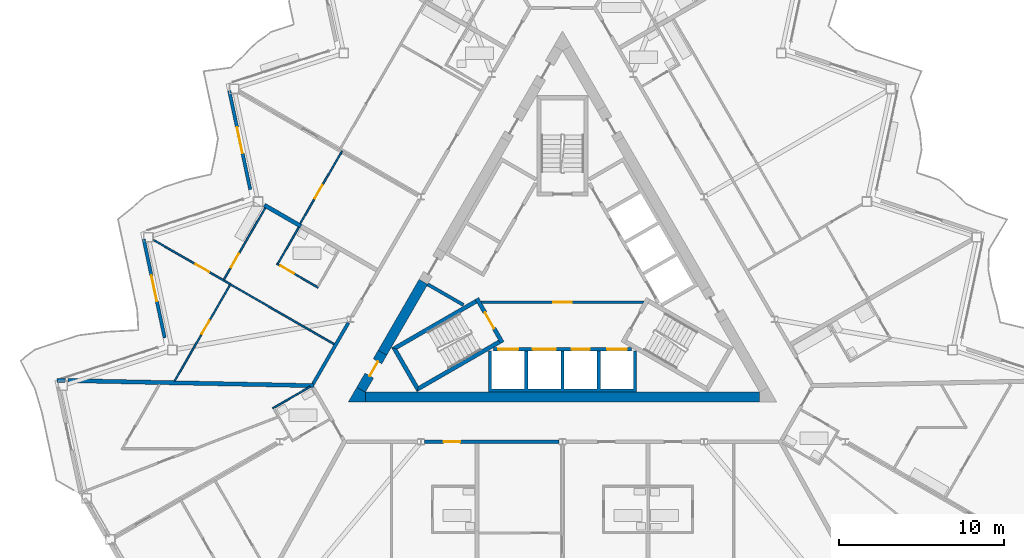
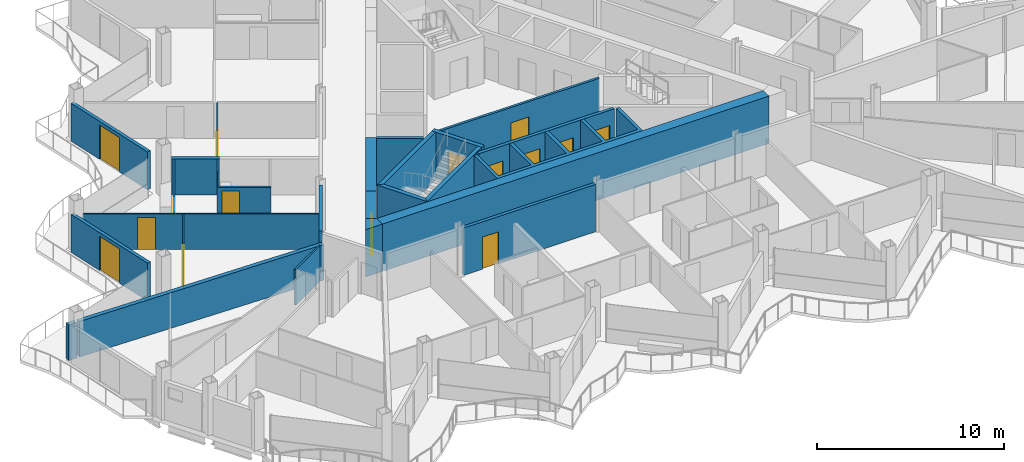
# One storey, part 14 of 27: 26 walls, 15 doors, 15 openings.
"""IFC4 building model written with IfcOpenShell, lengths in metres."""

import ifcopenshell
import ifcopenshell.guid

model = None  # the IFC model being written
_history = None  # IfcOwnerHistory: only IFC2X3 demands one
_inside = {}  # id of a spatial element -> (the spatial element, [elements in it])
_under = {}  # id of a project, library or spatial element -> (it, [spatial elements below it])
_declared = {}  # id of a project -> (the project, [libraries it declares])
_typed = {}  # id of a type object -> (the type object, [elements of that type])
_made_of = {}  # id of a material, layer set ... -> (it, [elements and type objects made of it])


def new_model(schema):
    """Start an empty IFC model of exactly this schema.

    Asked for "IFC4X3", IfcOpenShell would pick the latest addendum, in which some entities
    have other attributes; the version numbers below select the first issue.
    IFC2X3 requires an IfcOwnerHistory on every rooted entity: one is made here for all.
    """
    global model, _history
    if schema == "IFC4X3":
        model = ifcopenshell.file(schema_version=(4, 3, 0, 0))
    else:
        model = ifcopenshell.file(schema=schema)
    _inside.clear()
    _under.clear()
    _declared.clear()
    _typed.clear()
    _made_of.clear()
    _history = None
    if model.schema == "IFC2X3":
        org = make("IfcOrganization", Name="unknown")
        user = make(
            "IfcPersonAndOrganization",
            ThePerson=make("IfcPerson", FamilyName="unknown"),
            TheOrganization=org,
        )
        app = make(
            "IfcApplication",
            ApplicationDeveloper=org,
            Version="unknown",
            ApplicationFullName="unknown",
            ApplicationIdentifier="unknown",
        )
        _history = make(
            "IfcOwnerHistory",
            OwningUser=user,
            OwningApplication=app,
            ChangeAction="ADDED",
            CreationDate=0,
        )
    return model


def make(cls, **values):
    """One entity of the class cls with the attributes given. An attribute that is None is left unset."""
    return model.create_entity(
        cls, **{name: value for name, value in values.items() if value is not None}
    )


def rooted(cls, **values):
    """An entity with a GlobalId (a new one), such as an element, a storey or a relation."""
    return make(cls, GlobalId=ifcopenshell.guid.new(), OwnerHistory=_history, **values)


def si_unit(unit_type, name, prefix=None):
    """IfcSIUnit, for example si_unit("LENGTHUNIT", "METRE", prefix="MILLI")."""
    return make("IfcSIUnit", UnitType=unit_type, Prefix=prefix, Name=name)


def assignment(units):
    """IfcUnitAssignment: the units of a project."""
    return None if units is None else make("IfcUnitAssignment", Units=units)


def point(xyz):
    """IfcCartesianPoint."""
    return None if xyz is None else make("IfcCartesianPoint", Coordinates=xyz)


def direction(xyz):
    """IfcDirection."""
    return None if xyz is None else make("IfcDirection", DirectionRatios=xyz)


def frame(location, z_axis=None, x_axis=None):
    """IfcAxis2Placement3D, a coordinate frame: its origin and axes. An axis left out is left unset."""
    return make(
        "IfcAxis2Placement3D",
        Location=point(location),
        Axis=direction(z_axis),
        RefDirection=direction(x_axis),
    )


def frame_2d(location, x_axis=None):
    """IfcAxis2Placement2D, a coordinate frame in the plane: its origin and x axis."""
    return make(
        "IfcAxis2Placement2D", Location=point(location), RefDirection=direction(x_axis)
    )


def origin():
    """The frame at (0, 0, 0) with its axes left unset."""
    return frame((0.0, 0.0, 0.0))


def place(relative_to, where):
    """IfcLocalPlacement: puts the frame where relative to a parent placement (None: the world)."""
    return make(
        "IfcLocalPlacement", PlacementRelTo=relative_to, RelativePlacement=where
    )


def context(
    kind, dimensions, precision=None, world=None, true_north=None, identifier=None
):
    """IfcGeometricRepresentationContext, for example the 3D "Model" context."""
    return make(
        "IfcGeometricRepresentationContext",
        ContextIdentifier=identifier,
        ContextType=kind,
        CoordinateSpaceDimension=dimensions,
        Precision=precision,
        WorldCoordinateSystem=world,
        TrueNorth=true_north,
    )


def subcontext(parent, identifier, kind, view, scale=None):
    """IfcGeometricRepresentationSubContext, for example "Body" below "Model"."""
    return make(
        "IfcGeometricRepresentationSubContext",
        ContextIdentifier=identifier,
        ContextType=kind,
        ParentContext=parent,
        TargetScale=scale,
        TargetView=view,
    )


def project(units=None, contexts=None):
    """IfcProject with its units and contexts."""
    return rooted(
        "IfcProject",
        Name="project",
        RepresentationContexts=contexts,
        UnitsInContext=assignment(units),
    )


def spatial(cls, under=None, at=None, **own):
    """A site, building, storey or space (cls), placed at a placement, below another one or the project."""
    s = rooted(cls, ObjectPlacement=at, **own)
    if under is not None:
        _under.setdefault(under.id(), (under, []))[1].append(s)
    return s


def polyline(points):
    """IfcPolyline through the points."""
    return make("IfcPolyline", Points=[point(p) for p in points])


def profile(cls, at=None, kind="AREA", **sizes):
    """A parametric profile (cls). Its sizes go by their IFC names, for example OverallWidth=200.0."""
    return make(cls, ProfileType=kind, Position=at, **sizes)


def rectangle(**sizes):
    """IfcRectangleProfileDef."""
    return profile("IfcRectangleProfileDef", **sizes)


def outline(outer, holes=None, kind="AREA"):
    """IfcArbitraryClosedProfileDef: a profile drawn as a closed curve; with holes, ...WithVoids."""
    if holes is None:
        return make("IfcArbitraryClosedProfileDef", ProfileType=kind, OuterCurve=outer)
    return make(
        "IfcArbitraryProfileDefWithVoids",
        ProfileType=kind,
        OuterCurve=outer,
        InnerCurves=holes,
    )


def extrude(swept, where, along, depth):
    """IfcExtrudedAreaSolid: the profile swept, set in the frame where, extruded along a direction by depth."""
    return make(
        "IfcExtrudedAreaSolid",
        SweptArea=swept,
        Position=where,
        ExtrudedDirection=direction(along),
        Depth=depth,
    )


def shape(context_of_items, identifier, shape_type, items):
    """IfcShapeRepresentation: the items that make up one representation, for example the "Body"."""
    return make(
        "IfcShapeRepresentation",
        ContextOfItems=context_of_items,
        RepresentationIdentifier=identifier,
        RepresentationType=shape_type,
        Items=items,
    )


def material(Name=None, Category=None):
    """IfcMaterial."""
    return make("IfcMaterial", Name=Name, Category=Category)


def layer(
    of_material, thickness, ventilated=None, Name=None, Category=None, Priority=None
):
    """IfcMaterialLayer: one layer of a wall or slab, of a material (None: an air gap)."""
    return make(
        "IfcMaterialLayer",
        Material=of_material,
        LayerThickness=thickness,
        IsVentilated=ventilated,
        Name=Name,
        Category=Category,
        Priority=Priority,
    )


def layer_set(layers, Name=None):
    """IfcMaterialLayerSet."""
    return make("IfcMaterialLayerSet", MaterialLayers=layers, LayerSetName=Name)


def made_of(thing, what):
    """Note that an element or type object is made of a material, layer set ...; save() writes the relation."""
    if what is not None:
        _made_of.setdefault(what.id(), (what, []))[1].append(thing)
    return thing


def type_object(cls, material=None, **own):
    """A type object (cls), such as IfcWallType, which elements share."""
    return made_of(rooted(cls, **own), material)


def element(
    cls,
    number,
    at=None,
    inside=None,
    cuts=None,
    type_object=None,
    material=None,
    context=None,
    identifier="Body",
    shape_type=None,
    held_by="IfcProductDefinitionShape",
    body=None,
    shapes=None,
    **own,
):
    """One element of the class cls, such as IfcWall. Its Tag is "e" and its number.

    at: its placement. inside: the storey or other place that contains it. cuts: it is an
    opening in that element (IfcRelVoidsElement). A single representation is given by context,
    identifier, shape_type and body (its items); several are given by shapes. held_by: the class
    of the entity that holds the representations. save() writes the other relations.
    """
    e = rooted(cls, Tag="e%d" % number, ObjectPlacement=at, **own)
    if body is not None:
        shapes = [shape(context, identifier, shape_type, body)]
    if shapes is not None:
        e.Representation = make(held_by, Representations=shapes)
    if inside is not None:
        _inside.setdefault(inside.id(), (inside, []))[1].append(e)
    if cuts is not None:
        rooted(
            "IfcRelVoidsElement", RelatingBuildingElement=cuts, RelatedOpeningElement=e
        )
    if type_object is not None:
        _typed.setdefault(type_object.id(), (type_object, []))[1].append(e)
    return made_of(e, material)


def fill(opening, filler):
    """IfcRelFillsElement: the door or window that sits in an opening."""
    return rooted(
        "IfcRelFillsElement",
        RelatingOpeningElement=opening,
        RelatedBuildingElement=filler,
    )


def aggregate(whole, parts):
    """IfcRelAggregates: a whole, such as a stair, and the parts it consists of."""
    return rooted("IfcRelAggregates", RelatingObject=whole, RelatedObjects=parts)


def save(model, path):
    """Write the relations noted so far, then the file.

    IfcRelAggregates (storeys below a building ...), IfcRelContainedInSpatialStructure (elements
    in a storey), IfcRelDefinesByType, IfcRelAssociatesMaterial and IfcRelDeclares: one each for
    every whole, place, type object, material and project.
    """
    for whole, parts in _under.values():
        aggregate(whole, parts)
    for where, things in _inside.values():
        rooted(
            "IfcRelContainedInSpatialStructure",
            RelatedElements=things,
            RelatingStructure=where,
        )
    for kind, things in _typed.values():
        rooted("IfcRelDefinesByType", RelatedObjects=things, RelatingType=kind)
    for what, things in _made_of.values():
        rooted("IfcRelAssociatesMaterial", RelatedObjects=things, RelatingMaterial=what)
    for by, libraries in _declared.values():
        rooted("IfcRelDeclares", RelatingContext=by, RelatedDefinitions=libraries)
    model.write(path)


model = new_model("IFC4")

# Units and contexts
model_context = context("Model", 3, precision=1e-05, world=origin(), true_north=direction((0.0, 1.0)))
body_context = subcontext(model_context, "Body", "Model", "MODEL_VIEW")
ifc_project = project(units=[si_unit("LENGTHUNIT", "METRE"), si_unit("AREAUNIT", "SQUARE_METRE"), si_unit("VOLUMEUNIT", "CUBIC_METRE"), si_unit("PLANEANGLEUNIT", "RADIAN"), si_unit("MASSUNIT", "GRAM", prefix="KILO")], contexts=[model_context])

# Site, building, storey
site_placement = place(None, origin())
site = spatial("IfcSite", under=ifc_project, at=site_placement, CompositionType="ELEMENT")
building_placement = place(site_placement, origin())
building = spatial("IfcBuilding", under=site, at=building_placement, Name="Cormorant Prow Tower", CompositionType="ELEMENT")
storey_placement = place(building_placement, frame((0.0, 0.0, 315.39990234375)))
storey = spatial("IfcBuildingStorey", under=building, at=storey_placement, Name="L69", CompositionType="ELEMENT", Elevation=315.39990234375)

# Wall, opening, door
ifc_material_1 = material(Name="Gypsum board partition")
ifc_layer_1 = layer(ifc_material_1, 0.14990234375)
ifc_layer_set_1 = layer_set([ifc_layer_1], Name="Gypsum board partition")
wall_type_1 = type_object("IfcWallType", Name="Core partition 150", PredefinedType="PARTITIONING", material=ifc_layer_set_1)
wall_1_placement = place(storey_placement, frame((-4.941162109375, -1.449951171875, 0.0), z_axis=(0.0, 0.0, 1.0), x_axis=(1.0, 0.0, 0.0)))
wall_1 = element("IfcWall", 1, at=wall_1_placement, inside=storey, type_object=wall_type_1, Name="Firefighting lobby partition", PredefinedType="PARTITIONING", context=body_context, shape_type="SweptSolid", body=[
    extrude(rectangle(XDim=9.88232421875, YDim=0.14990234375, at=frame_2d((4.941162109375, 0.0))), origin(), (0.0, 0.0, 1.0), 3.10009765625),
])
opening_1_placement = place(wall_1_placement, frame((4.39111328125, 0.0, 0.0)))
opening_1 = element("IfcOpeningElement", 2, at=opening_1_placement, cuts=wall_1, Name="Opening L69-C11", PredefinedType="OPENING", context=body_context, shape_type="SweptSolid", body=[
    extrude(rectangle(XDim=1.10009765625, YDim=2.10009765625, at=frame_2d((0.550048828125, 1.050048828125))), frame((0.0, 0.0849609375, 0.0), z_axis=(0.0, -1.0, 0.0), x_axis=(1.0, 0.0, 0.0)), (0.0, 0.0, 1.0), 0.169921875),
])
ifc_material_2 = material(Name="Painted steel", Category="steel")
door_type_1 = type_object("IfcDoorType", Name="Firefighting lobby door 1100x2100", OperationType="NOTDEFINED", PredefinedType="DOOR", material=ifc_material_2)
door_1_placement = place(opening_1_placement, origin())
door_1 = element("IfcDoor", 3, at=door_1_placement, inside=storey, type_object=door_type_1, Name="Firefighting lobby door", OperationType="SINGLE_SWING_LEFT", OverallHeight=2.10009765625, OverallWidth=1.10009765625, PredefinedType="DOOR", context=body_context, shape_type="SweptSolid", body=[
    extrude(rectangle(XDim=1.10009765625, YDim=2.10009765625, at=frame_2d((0.550048828125, 1.050048828125))), frame((0.0, 0.02490234375, 0.0), z_axis=(0.0, -1.0, 0.0), x_axis=(1.0, 0.0, 0.0)), (0.0, 0.0, 1.0), 0.050048828125),
])
fill(opening_1, door_1)

# Walls
ifc_material_3 = material(Name="Concrete 8000 psi", Category="concrete")
ifc_layer_2 = layer(ifc_material_3, 0.60009765625)
ifc_layer_set_2 = layer_set([ifc_layer_2], Name="Concrete 8000 psi")
wall_type_2 = type_object("IfcWallType", Name="Core shear wall 600", PredefinedType="SHEAR", material=ifc_layer_set_2)
wall_2_placement = place(storey_placement, frame((-11.960693359375, -7.20556640625, 0.0), z_axis=(0.0, 0.0, 1.0), x_axis=(1.0, 0.0, 0.0)))
element("IfcWall", 4, at=wall_2_placement, inside=storey, type_object=wall_type_2, Name="Core wall", PredefinedType="SHEAR", context=body_context, shape_type="SweptSolid", body=[
    extrude(rectangle(XDim=23.92138671875, YDim=0.60009765625, at=frame_2d((11.960693359375, 0.0))), origin(), (0.0, 0.0, 1.0), 3.10009765625),
])
wall_3_placement = place(storey_placement, frame((-8.440185546875, -0.207763671875, 0.0), z_axis=(0.0, 0.0, 1.0), x_axis=(-0.500007425856, -0.866021116422, 0.0)))
element("IfcWall", 5, at=wall_3_placement, inside=storey, type_object=wall_type_2, Name="Core wall", PredefinedType="SHEAR", context=body_context, shape_type="SweptSolid", body=[
    extrude(rectangle(XDim=4.96875, YDim=0.60009765625, at=frame_2d((2.484375, 0.0))), origin(), (0.0, 0.0, 1.0), 3.10009765625),
])
wall_4_placement = place(storey_placement, origin())
element("IfcWall", 6, at=wall_4_placement, inside=storey, type_object=wall_type_2, Name="Core wall corner", PredefinedType="SHEAR", context=body_context, shape_type="SweptSolid", body=[
    extrude(outline(polyline([(-12.48046875, -6.605712890625), (-11.960693359375, -6.905517578125), (-11.960693359375, -7.505615234375), (-13.0, -7.505615234375), (-12.48046875, -6.605712890625)])), origin(), (0.0, 0.0, 1.0), 3.10009765625),
])

# Wall, opening, door
wall_5_placement = place(storey_placement, frame((-10.924560546875, -4.5107421875, 0.0), z_axis=(0.0, 0.0, 1.0), x_axis=(-0.500018667571, -0.866014625789, 0.0)))
wall_5 = element("IfcWall", 7, at=wall_5_placement, inside=storey, type_object=wall_type_2, Name="Core wall door panel", PredefinedType="SHEAR", context=body_context, shape_type="SweptSolid", body=[
    extrude(rectangle(XDim=2.59228515625, YDim=0.60009765625, at=frame_2d((1.296142578125, 0.0))), origin(), (0.0, 0.0, 1.0), 3.10009765625),
])
opening_2_placement = place(wall_5_placement, frame((0.60009765625, 0.0, 0.0)))
opening_2 = element("IfcOpeningElement", 8, at=opening_2_placement, cuts=wall_5, Name="Opening L69-C15", PredefinedType="OPENING", context=body_context, shape_type="SweptSolid", body=[
    extrude(rectangle(XDim=1.0, YDim=2.10009765625, at=frame_2d((0.5, 1.050048828125))), frame((0.0, 0.31005859375, 0.0), z_axis=(0.0, -1.0, 0.0), x_axis=(1.0, 0.0, 0.0)), (0.0, 0.0, 1.0), 0.6201171875),
])
ifc_material_4 = material(Name="Painted steel", Category="steel")
door_type_2 = type_object("IfcDoorType", Name="Service door 1000x2100", OperationType="NOTDEFINED", PredefinedType="DOOR", material=ifc_material_4)
door_2_placement = place(opening_2_placement, origin())
door_2 = element("IfcDoor", 9, at=door_2_placement, inside=storey, type_object=door_type_2, Name="Core door, Electrical room", OperationType="SINGLE_SWING_RIGHT", OverallHeight=2.10009765625, OverallWidth=1.0, PredefinedType="DOOR", context=body_context, shape_type="SweptSolid", body=[
    extrude(rectangle(XDim=1.0, YDim=2.10009765625, at=frame_2d((0.5, 1.050048828125))), frame((0.0, 0.05517578125, 0.0), z_axis=(0.0, -1.0, 0.0), x_axis=(1.0, 0.0, 0.0)), (0.0, 0.0, 1.0), 0.050048828125),
])
fill(opening_2, door_2)

ifc_material_5 = material(Name="Gypsum board corridor wall")
ifc_layer_3 = layer(ifc_material_5, 0.199951171875)
ifc_layer_set_3 = layer_set([ifc_layer_3], Name="Gypsum board corridor wall")
wall_type_3 = type_object("IfcWallType", Name="Corridor wall 200", PredefinedType="PARTITIONING", material=ifc_layer_set_3)
wall_6_placement = place(storey_placement, frame((-8.370849609375, -9.905517578125, 0.0), z_axis=(0.0, 0.0, 1.0), x_axis=(1.0, 0.0, 0.0)))
wall_6 = element("IfcWall", 10, at=wall_6_placement, inside=storey, type_object=wall_type_3, Name="Corridor wall", PredefinedType="PARTITIONING", context=body_context, shape_type="SweptSolid", body=[
    extrude(rectangle(XDim=8.1630859375, YDim=0.199951171875, at=frame_2d((4.08154296875, 0.0))), origin(), (0.0, 0.0, 1.0), 3.10009765625),
])
opening_3_placement = place(wall_6_placement, frame((1.15869140625, 0.0, 0.0)))
opening_3 = element("IfcOpeningElement", 11, at=opening_3_placement, cuts=wall_6, Name="Opening L69-F01", PredefinedType="OPENING", context=body_context, shape_type="SweptSolid", body=[
    extrude(rectangle(XDim=1.0, YDim=2.10009765625, at=frame_2d((0.5, 1.050048828125))), frame((0.0, 0.10986328125, 0.0), z_axis=(0.0, -1.0, 0.0), x_axis=(1.0, 0.0, 0.0)), (0.0, 0.0, 1.0), 0.219970703125),
])
ifc_material_6 = material(Name="Timber door leaf", Category="wood")
door_type_3 = type_object("IfcDoorType", Name="Flat or room entrance door 1000x2100", OperationType="NOTDEFINED", PredefinedType="DOOR", material=ifc_material_6)
door_3_placement = place(opening_3_placement, origin())
door_3 = element("IfcDoor", 12, at=door_3_placement, inside=storey, type_object=door_type_3, Name="Living room door", OperationType="SINGLE_SWING_RIGHT", OverallHeight=2.10009765625, OverallWidth=1.0, PredefinedType="DOOR", context=body_context, shape_type="SweptSolid", body=[
    extrude(rectangle(XDim=1.0, YDim=2.10009765625, at=frame_2d((0.5, 1.050048828125))), frame((0.0, 0.02490234375, 0.0), z_axis=(0.0, -1.0, 0.0), x_axis=(1.0, 0.0, 0.0)), (0.0, 0.0, 1.0), 0.050048828125),
])
fill(opening_3, door_3)

# Wall
wall_7_placement = place(storey_placement, frame((-15.13134765625, -6.397216796875, 0.0), z_axis=(0.0, 0.0, 1.0), x_axis=(0.500003406062, 0.866023437285, 0.0)))
element("IfcWall", 13, at=wall_7_placement, inside=storey, type_object=wall_type_3, Name="Corridor wall", PredefinedType="PARTITIONING", context=body_context, shape_type="SweptSolid", body=[
    extrude(rectangle(XDim=4.28759765625, YDim=0.199951171875, at=frame_2d((2.143798828125, 0.0))), origin(), (0.0, 0.0, 1.0), 3.10009765625),
])

# Wall, opening, door
ifc_material_7 = material(Name="Gypsum board partition")
ifc_layer_4 = layer(ifc_material_7, 0.10009765625)
ifc_layer_set_4 = layer_set([ifc_layer_4], Name="Gypsum board partition")
wall_type_4 = type_object("IfcWallType", Name="Internal partition 100", PredefinedType="PARTITIONING", material=ifc_layer_set_4)
wall_8_placement = place(storey_placement, frame((-24.814697265625, 2.33447265625, 0.0), z_axis=(0.0, 0.0, 1.0), x_axis=(0.866024591023, -0.500001407741, 0.0)))
wall_8 = element("IfcWall", 14, at=wall_8_placement, inside=storey, type_object=wall_type_4, Name="Internal partition", PredefinedType="PARTITIONING", context=body_context, shape_type="SweptSolid", body=[
    extrude(rectangle(XDim=12.65185546875, YDim=0.10009765625, at=frame_2d((6.325927734375, 0.0))), origin(), (0.0, 0.0, 1.0), 2.330078125),
])
opening_4_placement = place(wall_8_placement, frame((2.950439453125, 0.0, 0.0)))
opening_4 = element("IfcOpeningElement", 15, at=opening_4_placement, cuts=wall_8, Name="Opening L69-F46", PredefinedType="OPENING", context=body_context, shape_type="SweptSolid", body=[
    extrude(rectangle(XDim=0.949951171875, YDim=2.10009765625, at=frame_2d((0.47509765625, 1.050048828125))), frame((0.0, 0.06005859375, 0.0), z_axis=(0.0, -1.0, 0.0), x_axis=(1.0, 0.0, 0.0)), (0.0, 0.0, 1.0), 0.1201171875),
])
ifc_material_8 = material(Name="Timber door leaf", Category="wood")
door_type_4 = type_object("IfcDoorType", Name="Bathroom door 950x2100", OperationType="NOTDEFINED", PredefinedType="DOOR", material=ifc_material_8)
door_4_placement = place(opening_4_placement, origin())
door_4 = element("IfcDoor", 16, at=door_4_placement, inside=storey, type_object=door_type_4, Name="Kitchen door", OperationType="SINGLE_SWING_RIGHT", OverallHeight=2.10009765625, OverallWidth=0.949951171875, PredefinedType="DOOR", context=body_context, shape_type="SweptSolid", body=[
    extrude(rectangle(XDim=0.949951171875, YDim=2.10009765625, at=frame_2d((0.47509765625, 1.050048828125))), frame((0.0, 0.02490234375, 0.0), z_axis=(0.0, -1.0, 0.0), x_axis=(1.0, 0.0, 0.0)), (0.0, 0.0, 1.0), 0.050048828125),
])
fill(opening_4, door_4)

wall_9_placement = place(storey_placement, frame((-23.5361328125, -6.2236328125, 0.0), z_axis=(0.0, 0.0, 1.0), x_axis=(0.500002256251, 0.866024101133, 0.0)))
wall_9 = element("IfcWall", 17, at=wall_9_placement, inside=storey, type_object=wall_type_4, Name="Internal partition", PredefinedType="PARTITIONING", context=body_context, shape_type="SweptSolid", body=[
    extrude(rectangle(XDim=6.72216796875, YDim=0.10009765625, at=frame_2d((3.361083984375, 0.0))), origin(), (0.0, 0.0, 1.0), 2.330078125),
])
opening_5_placement = place(wall_9_placement, frame((3.291748046875, 0.0, 0.0)))
opening_5 = element("IfcOpeningElement", 18, at=opening_5_placement, cuts=wall_9, Name="Opening L69-F47", PredefinedType="OPENING", context=body_context, shape_type="SweptSolid", body=[
    extrude(rectangle(XDim=0.949951171875, YDim=2.10009765625, at=frame_2d((0.47509765625, 1.050048828125))), frame((0.0, 0.06005859375, 0.0), z_axis=(0.0, -1.0, 0.0), x_axis=(1.0, 0.0, 0.0)), (0.0, 0.0, 1.0), 0.1201171875),
])
door_5_placement = place(opening_5_placement, origin())
door_5 = element("IfcDoor", 19, at=door_5_placement, inside=storey, type_object=door_type_4, Name="Bedroom door", OperationType="SINGLE_SWING_RIGHT", OverallHeight=2.10009765625, OverallWidth=0.949951171875, PredefinedType="DOOR", context=body_context, shape_type="SweptSolid", body=[
    extrude(rectangle(XDim=0.949951171875, YDim=2.10009765625, at=frame_2d((0.47509765625, 1.050048828125))), frame((0.0, 0.02490234375, 0.0), z_axis=(0.0, -1.0, 0.0), x_axis=(1.0, 0.0, 0.0)), (0.0, 0.0, 1.0), 0.050048828125),
])
fill(opening_5, door_5)

wall_10_placement = place(storey_placement, frame((-15.91162109375, 3.334716796875, 0.0), z_axis=(0.0, 0.0, 1.0), x_axis=(0.49999906822, 0.866025941747, 0.0)))
wall_10 = element("IfcWall", 20, at=wall_10_placement, inside=storey, type_object=wall_type_4, Name="Internal partition", PredefinedType="PARTITIONING", context=body_context, shape_type="SweptSolid", body=[
    extrude(rectangle(XDim=5.06787109375, YDim=0.10009765625, at=frame_2d((2.533935546875, 0.0))), origin(), (0.0, 0.0, 1.0), 2.330078125),
])
opening_6_placement = place(wall_10_placement, frame((1.75732421875, 0.0, 0.0)))
opening_6 = element("IfcOpeningElement", 21, at=opening_6_placement, cuts=wall_10, Name="Opening L69-F41", PredefinedType="OPENING", context=body_context, shape_type="SweptSolid", body=[
    extrude(rectangle(XDim=0.949951171875, YDim=2.10009765625, at=frame_2d((0.47509765625, 1.050048828125))), frame((0.0, 0.06005859375, 0.0), z_axis=(0.0, -1.0, 0.0), x_axis=(1.0, 0.0, 0.0)), (0.0, 0.0, 1.0), 0.1201171875),
])
door_6_placement = place(opening_6_placement, origin())
door_6 = element("IfcDoor", 22, at=door_6_placement, inside=storey, type_object=door_type_4, Name="Bedroom door", OperationType="SINGLE_SWING_LEFT", OverallHeight=2.10009765625, OverallWidth=0.949951171875, PredefinedType="DOOR", context=body_context, shape_type="SweptSolid", body=[
    extrude(rectangle(XDim=0.949951171875, YDim=2.10009765625, at=frame_2d((0.47509765625, 1.050048828125))), frame((0.0, 0.02490234375, 0.0), z_axis=(0.0, -1.0, 0.0), x_axis=(1.0, 0.0, 0.0)), (0.0, 0.0, 1.0), 0.050048828125),
])
fill(opening_6, door_6)

wall_11_placement = place(storey_placement, frame((-20.546630859375, -0.072021484375, 0.0), z_axis=(0.0, 0.0, 1.0), x_axis=(0.499969537666, 0.866042990507, 0.0)))
wall_11 = element("IfcWall", 23, at=wall_11_placement, inside=storey, type_object=wall_type_4, Name="Internal partition", PredefinedType="PARTITIONING", context=body_context, shape_type="SweptSolid", body=[
    extrude(rectangle(XDim=5.017822265625, YDim=0.10009765625, at=frame_2d((2.5087890625, 0.0))), origin(), (0.0, 0.0, 1.0), 2.330078125),
])
opening_7_placement = place(wall_11_placement, frame((0.861572265625, 0.0, 0.0)))
opening_7 = element("IfcOpeningElement", 24, at=opening_7_placement, cuts=wall_11, Name="Opening L69-F45", PredefinedType="OPENING", context=body_context, shape_type="SweptSolid", body=[
    extrude(rectangle(XDim=0.949951171875, YDim=2.10009765625, at=frame_2d((0.47509765625, 1.050048828125))), frame((0.0, 0.06005859375, 0.0), z_axis=(0.0, -1.0, 0.0), x_axis=(1.0, 0.0, 0.0)), (0.0, 0.0, 1.0), 0.1201171875),
])
door_7_placement = place(opening_7_placement, origin())
door_7 = element("IfcDoor", 25, at=door_7_placement, inside=storey, type_object=door_type_4, Name="Living room door", OperationType="SINGLE_SWING_LEFT", OverallHeight=2.10009765625, OverallWidth=0.949951171875, PredefinedType="DOOR", context=body_context, shape_type="SweptSolid", body=[
    extrude(rectangle(XDim=0.949951171875, YDim=2.10009765625, at=frame_2d((0.47509765625, 1.050048828125))), frame((0.0, 0.02490234375, 0.0), z_axis=(0.0, -1.0, 0.0), x_axis=(1.0, 0.0, 0.0)), (0.0, 0.0, 1.0), 0.050048828125),
])
fill(opening_7, door_7)

wall_12_placement = place(storey_placement, frame((-17.331298828125, 0.892333984375, 0.0), z_axis=(0.0, 0.0, 1.0), x_axis=(0.866032775405, -0.499987231761, 0.0)))
wall_12 = element("IfcWall", 26, at=wall_12_placement, inside=storey, type_object=wall_type_4, Name="Internal partition", PredefinedType="PARTITIONING", context=body_context, shape_type="SweptSolid", body=[
    extrude(rectangle(XDim=2.89990234375, YDim=0.10009765625, at=frame_2d((1.449951171875, 0.0))), origin(), (0.0, 0.0, 1.0), 2.330078125),
])
opening_8_placement = place(wall_12_placement, frame((0.25, 0.0, 0.0)))
opening_8 = element("IfcOpeningElement", 27, at=opening_8_placement, cuts=wall_12, Name="Opening L69-F44", PredefinedType="OPENING", context=body_context, shape_type="SweptSolid", body=[
    extrude(rectangle(XDim=0.949951171875, YDim=2.10009765625, at=frame_2d((0.47509765625, 1.050048828125))), frame((0.0, 0.06005859375, 0.0), z_axis=(0.0, -1.0, 0.0), x_axis=(1.0, 0.0, 0.0)), (0.0, 0.0, 1.0), 0.1201171875),
])
door_8_placement = place(opening_8_placement, origin())
door_8 = element("IfcDoor", 28, at=door_8_placement, inside=storey, type_object=door_type_4, Name="Living room door", OperationType="SINGLE_SWING_LEFT", OverallHeight=2.10009765625, OverallWidth=0.949951171875, PredefinedType="DOOR", context=body_context, shape_type="SweptSolid", body=[
    extrude(rectangle(XDim=0.949951171875, YDim=2.10009765625, at=frame_2d((0.47509765625, 1.050048828125))), frame((0.0, 0.02490234375, 0.0), z_axis=(0.0, -1.0, 0.0), x_axis=(1.0, 0.0, 0.0)), (0.0, 0.0, 1.0), 0.050048828125),
])
fill(opening_8, door_8)

# Walls
wall_13_placement = place(storey_placement, frame((-17.262939453125, 0.91064453125, 0.0), z_axis=(0.0, 0.0, 1.0), x_axis=(0.499976333282, 0.866039067339, 0.0)))
element("IfcWall", 29, at=wall_13_placement, inside=storey, type_object=wall_type_4, Name="Internal partition", PredefinedType="PARTITIONING", context=body_context, shape_type="SweptSolid", body=[
    extrude(rectangle(XDim=2.52490234375, YDim=0.10009765625, at=frame_2d((1.262451171875, 0.0))), origin(), (0.0, 0.0, 1.0), 2.330078125),
])
wall_14_placement = place(storey_placement, frame((-17.575439453125, -7.880615234375, 0.0), z_axis=(0.0, 0.0, 1.0), x_axis=(0.866013657776, 0.500020344131, 0.0)))
element("IfcWall", 30, at=wall_14_placement, inside=storey, type_object=wall_type_4, Name="Internal partition", PredefinedType="PARTITIONING", context=body_context, shape_type="SweptSolid", body=[
    extrude(rectangle(XDim=2.625, YDim=0.10009765625, at=frame_2d((1.3125, 0.0))), origin(), (0.0, 0.0, 1.0), 2.330078125),
])

# Wall, openings, doors
ifc_material_9 = material(Name="Concrete 5000 psi", Category="concrete")
ifc_layer_5 = layer(ifc_material_9, 0.199951171875)
ifc_layer_set_5 = layer_set([ifc_layer_5], Name="Concrete 5000 psi")
wall_type_5 = type_object("IfcWallType", Name="Lift lobby wall 200", PredefinedType="SOLIDWALL", material=ifc_layer_set_5)
wall_15_placement = place(storey_placement, frame((-4.1865234375, -4.300048828125, 0.0), z_axis=(0.0, 0.0, 1.0), x_axis=(1.0, 0.0, 0.0)))
wall_15 = element("IfcWall", 31, at=wall_15_placement, inside=storey, type_object=wall_type_5, Name="Lift lobby wall, S block", PredefinedType="SOLIDWALL", context=body_context, shape_type="SweptSolid", body=[
    extrude(rectangle(XDim=8.373046875, YDim=0.199951171875, at=frame_2d((4.1865234375, 0.0))), origin(), (0.0, 0.0, 1.0), 3.10009765625),
])
opening_9_placement = place(wall_15_placement, frame((0.28662109375, 0.0, 0.0)))
opening_9 = element("IfcOpeningElement", 32, at=opening_9_placement, cuts=wall_15, Name="Opening L69-C01", PredefinedType="OPENING", context=body_context, shape_type="SweptSolid", body=[
    extrude(rectangle(XDim=1.199951171875, YDim=2.10009765625, at=frame_2d((0.60009765625, 1.050048828125))), frame((0.0, 0.10986328125, 0.0), z_axis=(0.0, -1.0, 0.0), x_axis=(1.0, 0.0, 0.0)), (0.0, 0.0, 1.0), 0.219970703125),
])
opening_10_placement = place(wall_15_placement, frame((2.38671875, 0.0, 0.0)))
opening_10 = element("IfcOpeningElement", 33, at=opening_10_placement, cuts=wall_15, Name="Opening L69-C02", PredefinedType="OPENING", context=body_context, shape_type="SweptSolid", body=[
    extrude(rectangle(XDim=1.39990234375, YDim=2.10009765625, at=frame_2d((0.699951171875, 1.050048828125))), frame((0.0, 0.10986328125, 0.0), z_axis=(0.0, -1.0, 0.0), x_axis=(1.0, 0.0, 0.0)), (0.0, 0.0, 1.0), 0.219970703125),
])
opening_11_placement = place(wall_15_placement, frame((4.736572265625, 0.0, 0.0)))
opening_11 = element("IfcOpeningElement", 34, at=opening_11_placement, cuts=wall_15, Name="Opening L69-C03", PredefinedType="OPENING", context=body_context, shape_type="SweptSolid", body=[
    extrude(rectangle(XDim=1.10009765625, YDim=2.10009765625, at=frame_2d((0.550048828125, 1.050048828125))), frame((0.0, 0.10986328125, 0.0), z_axis=(0.0, -1.0, 0.0), x_axis=(1.0, 0.0, 0.0)), (0.0, 0.0, 1.0), 0.219970703125),
])
opening_12_placement = place(wall_15_placement, frame((6.88671875, 0.0, 0.0)))
opening_12 = element("IfcOpeningElement", 35, at=opening_12_placement, cuts=wall_15, Name="Opening L69-C04", PredefinedType="OPENING", context=body_context, shape_type="SweptSolid", body=[
    extrude(rectangle(XDim=1.199951171875, YDim=2.10009765625, at=frame_2d((0.60009765625, 1.050048828125))), frame((0.0, 0.10986328125, 0.0), z_axis=(0.0, -1.0, 0.0), x_axis=(1.0, 0.0, 0.0)), (0.0, 0.0, 1.0), 0.219970703125),
])
ifc_material_10 = material(Name="Painted steel", Category="steel")
door_type_5 = type_object("IfcDoorType", Name="Firefighting lift landing door 1200x2100", OperationType="SLIDING_TO_LEFT", PredefinedType="DOOR", material=ifc_material_10)
door_9_placement = place(opening_9_placement, origin())
door_9 = element("IfcDoor", 36, at=door_9_placement, inside=storey, type_object=door_type_5, Name="Landing door FL1", OperationType="SLIDING_TO_LEFT", OverallHeight=2.10009765625, OverallWidth=1.199951171875, PredefinedType="DOOR", context=body_context, shape_type="SweptSolid", body=[
    extrude(rectangle(XDim=1.199951171875, YDim=2.10009765625, at=frame_2d((0.60009765625, 1.050048828125))), frame((0.0, 0.02490234375, 0.0), z_axis=(0.0, -1.0, 0.0), x_axis=(1.0, 0.0, 0.0)), (0.0, 0.0, 1.0), 0.050048828125),
])
fill(opening_9, door_9)
door_10_placement = place(opening_12_placement, origin())
door_10 = element("IfcDoor", 37, at=door_10_placement, inside=storey, type_object=door_type_5, Name="Landing door FL2", OperationType="SLIDING_TO_LEFT", OverallHeight=2.10009765625, OverallWidth=1.199951171875, PredefinedType="DOOR", context=body_context, shape_type="SweptSolid", body=[
    extrude(rectangle(XDim=1.199951171875, YDim=2.10009765625, at=frame_2d((0.60009765625, 1.050048828125))), frame((0.0, 0.02490234375, 0.0), z_axis=(0.0, -1.0, 0.0), x_axis=(1.0, 0.0, 0.0)), (0.0, 0.0, 1.0), 0.050048828125),
])
fill(opening_12, door_10)
ifc_material_11 = material(Name="Painted steel", Category="steel")
door_type_6 = type_object("IfcDoorType", Name="Lift landing door 1100x2100", OperationType="SLIDING_TO_LEFT", PredefinedType="DOOR", material=ifc_material_11)
door_11_placement = place(opening_11_placement, origin())
door_11 = element("IfcDoor", 38, at=door_11_placement, inside=storey, type_object=door_type_6, Name="Landing door HR1", OperationType="SLIDING_TO_LEFT", OverallHeight=2.10009765625, OverallWidth=1.10009765625, PredefinedType="DOOR", context=body_context, shape_type="SweptSolid", body=[
    extrude(rectangle(XDim=1.10009765625, YDim=2.10009765625, at=frame_2d((0.550048828125, 1.050048828125))), frame((0.0, 0.02490234375, 0.0), z_axis=(0.0, -1.0, 0.0), x_axis=(1.0, 0.0, 0.0)), (0.0, 0.0, 1.0), 0.050048828125),
])
fill(opening_11, door_11)
ifc_material_12 = material(Name="Painted steel", Category="steel")
door_type_7 = type_object("IfcDoorType", Name="Service lift landing door 1400x2100", OperationType="SLIDING_TO_LEFT", PredefinedType="DOOR", material=ifc_material_12)
door_12_placement = place(opening_10_placement, origin())
door_12 = element("IfcDoor", 39, at=door_12_placement, inside=storey, type_object=door_type_7, Name="Landing door SL1", OperationType="SLIDING_TO_LEFT", OverallHeight=2.10009765625, OverallWidth=1.39990234375, PredefinedType="DOOR", context=body_context, shape_type="SweptSolid", body=[
    extrude(rectangle(XDim=1.39990234375, YDim=2.10009765625, at=frame_2d((0.699951171875, 1.050048828125))), frame((0.0, 0.02490234375, 0.0), z_axis=(0.0, -1.0, 0.0), x_axis=(1.0, 0.0, 0.0)), (0.0, 0.0, 1.0), 0.050048828125),
])
fill(opening_10, door_12)

# Walls
ifc_material_13 = material(Name="Concrete 8000 psi", Category="concrete")
ifc_layer_6 = layer(ifc_material_13, 0.199951171875)
ifc_layer_set_6 = layer_set([ifc_layer_6], Name="Concrete 8000 psi")
wall_type_6 = type_object("IfcWallType", Name="Lift shaft wall 200", PredefinedType="SHEAR", material=ifc_layer_set_6)
wall_16_placement = place(storey_placement, origin())
element("IfcWall", 40, at=wall_16_placement, inside=storey, type_object=wall_type_6, Name="Lift shaft walls, S block", PredefinedType="SHEAR", context=body_context, shape_type="SweptSolid", body=[
    extrude(outline(polyline([(4.5, -4.39990234375), (4.5, -6.906005859375), (-4.5, -6.906005859375), (-4.5, -4.39990234375), (-4.300048828125, -4.39990234375), (-4.300048828125, -6.699951171875), (-2.300048828125, -6.699951171875), (-2.300048828125, -4.39990234375), (-2.10009765625, -4.39990234375), (-2.10009765625, -6.699951171875), (-0.10009765625, -6.699951171875), (-0.10009765625, -4.39990234375), (0.10009765625, -4.39990234375), (0.10009765625, -6.699951171875), (2.10009765625, -6.699951171875), (2.10009765625, -4.39990234375), (2.300048828125, -4.39990234375), (2.300048828125, -6.699951171875), (4.300048828125, -6.699951171875), (4.300048828125, -4.39990234375), (4.5, -4.39990234375)])), origin(), (0.0, 0.0, 1.0), 3.10009765625),
])
wall_17_placement = place(storey_placement, origin())
element("IfcWall", 41, at=wall_17_placement, inside=storey, type_object=wall_type_6, Name="Lift shaft walls, WNW block", PredefinedType="SHEAR", context=body_context, shape_type="SweptSolid", body=[
    extrude(outline(polyline([(-6.060546875, -1.697021484375), (-8.230712890625, -0.444091796875), (-8.130859375, -0.27099609375), (-5.96044921875, -1.52392578125), (-6.060546875, -1.697021484375)])), origin(), (0.0, 0.0, 1.0), 3.10009765625),
])
ifc_material_14 = material(Name="Concrete 8000 psi", Category="concrete")
ifc_layer_7 = layer(ifc_material_14, 0.25)
ifc_layer_set_7 = layer_set([ifc_layer_7], Name="Concrete 8000 psi")
wall_type_7 = type_object("IfcWallType", Name="Stair wall 250", PredefinedType="SHEAR", material=ifc_layer_set_7)
wall_18_placement = place(storey_placement, origin())
element("IfcWall", 42, at=wall_18_placement, inside=storey, type_object=wall_type_7, Name="Stair ST1 enclosure wall (flank)", PredefinedType="SHEAR", context=body_context, shape_type="SweptSolid", body=[
    extrude(outline(polyline([(-5.30712890625, -1.28125), (-10.37353515625, -4.206298828125), (-10.031982421875, -4.2978515625), (-5.18212890625, -1.497802734375), (-5.30712890625, -1.28125)])), origin(), (0.0, 0.0, 1.0), 3.10009765625),
])
wall_19_placement = place(storey_placement, origin())
element("IfcWall", 43, at=wall_19_placement, inside=storey, type_object=wall_type_7, Name="Stair ST1 enclosure wall (end)", PredefinedType="SHEAR", context=body_context, shape_type="SweptSolid", body=[
    extrude(outline(polyline([(-10.37353515625, -4.206298828125), (-8.82958984375, -6.880615234375), (-8.738037109375, -6.5390625), (-10.031982421875, -4.2978515625), (-10.37353515625, -4.206298828125)])), origin(), (0.0, 0.0, 1.0), 3.10009765625),
])
wall_20_placement = place(storey_placement, origin())
element("IfcWall", 44, at=wall_20_placement, inside=storey, type_object=wall_type_7, Name="Stair ST1 enclosure wall (flank)", PredefinedType="SHEAR", context=body_context, shape_type="SweptSolid", body=[
    extrude(outline(polyline([(-8.738037109375, -6.5390625), (-8.82958984375, -6.880615234375), (-3.76318359375, -3.95556640625), (-3.88818359375, -3.739013671875), (-8.738037109375, -6.5390625)])), origin(), (0.0, 0.0, 1.0), 3.10009765625),
])

# Wall, opening, door
wall_21_placement = place(storey_placement, frame((-5.198974609375, -1.21875, 0.0), z_axis=(0.0, 0.0, 1.0), x_axis=(0.499982516597, -0.866035497597, 0.0)))
wall_21 = element("IfcWall", 45, at=wall_21_placement, inside=storey, type_object=wall_type_7, Name="Stair ST1 door wall", PredefinedType="SHEAR", context=body_context, shape_type="SweptSolid", body=[
    extrude(rectangle(XDim=3.087890625, YDim=0.25, at=frame_2d((1.5439453125, 0.0))), origin(), (0.0, 0.0, 1.0), 3.10009765625),
])
opening_13_placement = place(wall_21_placement, frame((0.993896484375, 0.0, 0.0)))
opening_13 = element("IfcOpeningElement", 46, at=opening_13_placement, cuts=wall_21, Name="Opening L69-C12", PredefinedType="OPENING", context=body_context, shape_type="SweptSolid", body=[
    extrude(rectangle(XDim=1.10009765625, YDim=2.10009765625, at=frame_2d((0.550048828125, 1.050048828125))), frame((0.0, 0.135009765625, 0.0), z_axis=(0.0, -1.0, 0.0), x_axis=(1.0, 0.0, 0.0)), (0.0, 0.0, 1.0), 0.27001953125),
])
ifc_material_15 = material(Name="Painted steel", Category="steel")
door_type_8 = type_object("IfcDoorType", Name="Stair door 1100x2100", OperationType="NOTDEFINED", PredefinedType="DOOR", material=ifc_material_15)
door_13_placement = place(opening_13_placement, origin())
door_13 = element("IfcDoor", 47, at=door_13_placement, inside=storey, type_object=door_type_8, Name="Stair ST1 door", OperationType="SINGLE_SWING_LEFT", OverallHeight=2.10009765625, OverallWidth=1.10009765625, PredefinedType="DOOR", context=body_context, shape_type="SweptSolid", body=[
    extrude(rectangle(XDim=1.10009765625, YDim=2.10009765625, at=frame_2d((0.550048828125, 1.050048828125))), frame((0.0, 0.02490234375, 0.0), z_axis=(0.0, -1.0, 0.0), x_axis=(1.0, 0.0, 0.0)), (0.0, 0.0, 1.0), 0.050048828125),
])
fill(opening_13, door_13)

# Walls
ifc_material_16 = material(Name="Acoustic gypsum party wall")
ifc_layer_8 = layer(ifc_material_16, 0.25)
ifc_layer_set_8 = layer_set([ifc_layer_8], Name="Acoustic gypsum party wall")
wall_type_8 = type_object("IfcWallType", Name="Suite party wall 250", PredefinedType="PARTITIONING", material=ifc_layer_set_8)
wall_22_placement = place(storey_placement, frame((-30.016357421875, -6.19921875, 0.0), z_axis=(0.0, 0.0, 1.0), x_axis=(0.999786619639, -0.02065708573, 0.0)))
element("IfcWall", 48, at=wall_22_placement, inside=storey, type_object=wall_type_8, Name="Suite party wall", PredefinedType="PARTITIONING", context=body_context, shape_type="SweptSolid", body=[
    extrude(rectangle(XDim=14.95068359375, YDim=0.25, at=frame_2d((7.475341796875, 0.0))), origin(), (0.0, 0.0, 1.0), 2.330078125),
])
wall_23_placement = place(storey_placement, frame((-18.09228515625, 4.449462890625, 0.0), z_axis=(0.0, 0.0, 1.0), x_axis=(0.866043267704, -0.499969057507, 0.0)))
element("IfcWall", 49, at=wall_23_placement, inside=storey, type_object=wall_type_8, Name="Suite party wall", PredefinedType="PARTITIONING", context=body_context, shape_type="SweptSolid", body=[
    extrude(rectangle(XDim=2.571044921875, YDim=0.25, at=frame_2d((1.28564453125, 0.0))), origin(), (0.0, 0.0, 1.0), 2.330078125),
])
wall_24_placement = place(storey_placement, frame((-30.6806640625, -6.185546875, 0.0), z_axis=(0.0, 0.0, 1.0), x_axis=(0.999788216533, -0.020579652135, 0.0)))
element("IfcWall", 50, at=wall_24_placement, inside=storey, type_object=wall_type_8, Name="Suite party wall", PredefinedType="PARTITIONING", context=body_context, shape_type="SweptSolid", body=[
    extrude(rectangle(XDim=0.510009765625, YDim=0.25, at=frame_2d((0.2548828125, 0.0))), origin(), (0.0, 0.0, 1.0), 2.330078125),
])

# Wall, opening, door
ifc_material_17 = material(Name="Terracotta", Category="masonry")
ifc_layer_9 = layer(ifc_material_17, 0.199951171875)
ifc_layer_set_9 = layer_set([ifc_layer_9], Name="Terracotta")
wall_type_9 = type_object("IfcWallType", Name="Terracotta jamb wall 200", PredefinedType="SOLIDWALL", material=ifc_layer_set_9)
wall_25_placement = place(storey_placement, frame((-20.21728515625, 11.37744140625, 0.0), z_axis=(0.0, 0.0, 1.0), x_axis=(0.207885951908, -0.978153071354, 0.0)))
wall_25 = element("IfcWall", 51, at=wall_25_placement, inside=storey, type_object=wall_type_9, Name="Terracotta jamb wall WNW05", PredefinedType="SOLIDWALL", context=body_context, shape_type="SweptSolid", body=[
    extrude(rectangle(XDim=6.119873046875, YDim=0.199951171875, at=frame_2d((3.06005859375, 0.0))), origin(), (0.0, 0.0, 1.0), 2.488037109375),
])
opening_14_placement = place(wall_25_placement, frame((2.259765625, 0.0, 0.0)))
opening_14 = element("IfcOpeningElement", 52, at=opening_14_placement, cuts=wall_25, Name="Opening ED69.13", PredefinedType="OPENING", context=body_context, shape_type="SweptSolid", body=[
    extrude(rectangle(XDim=1.60009765625, YDim=2.25, at=frame_2d((0.800048828125, 1.125))), frame((0.0, 0.10986328125, 0.0), z_axis=(0.0, -1.0, 0.0), x_axis=(1.0, 0.0, 0.0)), (0.0, 0.0, 1.0), 0.219970703125),
])
ifc_material_18 = material(Name="Aluminium 6063-T6", Category="aluminium")
door_type_9 = type_object("IfcDoorType", Name="Balcony door 1600x2250", OperationType="DOUBLE_DOOR_SINGLE_SWING", PredefinedType="DOOR", material=ifc_material_18)
door_14_placement = place(opening_14_placement, origin())
door_14 = element("IfcDoor", 53, at=door_14_placement, inside=storey, type_object=door_type_9, Name="Balcony door WNW05 ED69.13", OperationType="DOUBLE_DOOR_SINGLE_SWING", OverallHeight=2.25, OverallWidth=1.60009765625, PredefinedType="DOOR", context=body_context, shape_type="SweptSolid", body=[
    extrude(rectangle(XDim=1.60009765625, YDim=2.25, at=frame_2d((0.800048828125, 1.125))), frame((0.0, 0.02490234375, 0.0), z_axis=(0.0, -1.0, 0.0), x_axis=(1.0, 0.0, 0.0)), (0.0, 0.0, 1.0), 0.050048828125),
])
fill(opening_14, door_14)

wall_26_placement = place(storey_placement, frame((-25.41015625, 2.383056640625, 0.0), z_axis=(0.0, 0.0, 1.0), x_axis=(0.207894064368, -0.978151347185, 0.0)))
wall_26 = element("IfcWall", 54, at=wall_26_placement, inside=storey, type_object=wall_type_9, Name="Terracotta jamb wall WNW07", PredefinedType="SOLIDWALL", context=body_context, shape_type="SweptSolid", body=[
    extrude(rectangle(XDim=6.11962890625, YDim=0.199951171875, at=frame_2d((3.059814453125, 0.0))), origin(), (0.0, 0.0, 1.0), 2.488037109375),
])
opening_15_placement = place(wall_26_placement, frame((2.259765625, 0.0, 0.0)))
opening_15 = element("IfcOpeningElement", 55, at=opening_15_placement, cuts=wall_26, Name="Opening ED69.14", PredefinedType="OPENING", context=body_context, shape_type="SweptSolid", body=[
    extrude(rectangle(XDim=1.60009765625, YDim=2.25, at=frame_2d((0.800048828125, 1.125))), frame((0.0, 0.10986328125, 0.0), z_axis=(0.0, -1.0, 0.0), x_axis=(1.0, 0.0, 0.0)), (0.0, 0.0, 1.0), 0.219970703125),
])
door_15_placement = place(opening_15_placement, origin())
door_15 = element("IfcDoor", 56, at=door_15_placement, inside=storey, type_object=door_type_9, Name="Balcony door WNW07 ED69.14", OperationType="DOUBLE_DOOR_SINGLE_SWING", OverallHeight=2.25, OverallWidth=1.60009765625, PredefinedType="DOOR", context=body_context, shape_type="SweptSolid", body=[
    extrude(rectangle(XDim=1.60009765625, YDim=2.25, at=frame_2d((0.800048828125, 1.125))), frame((0.0, 0.02490234375, 0.0), z_axis=(0.0, -1.0, 0.0), x_axis=(1.0, 0.0, 0.0)), (0.0, 0.0, 1.0), 0.050048828125),
])
fill(opening_15, door_15)

save(model, "model.ifc")
